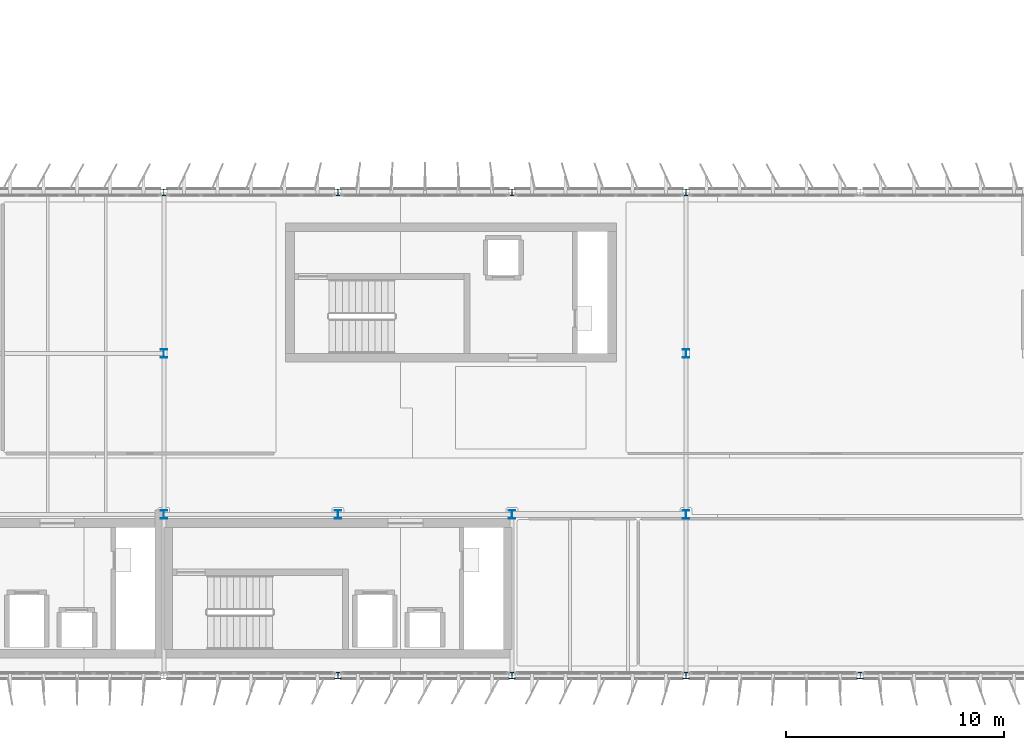
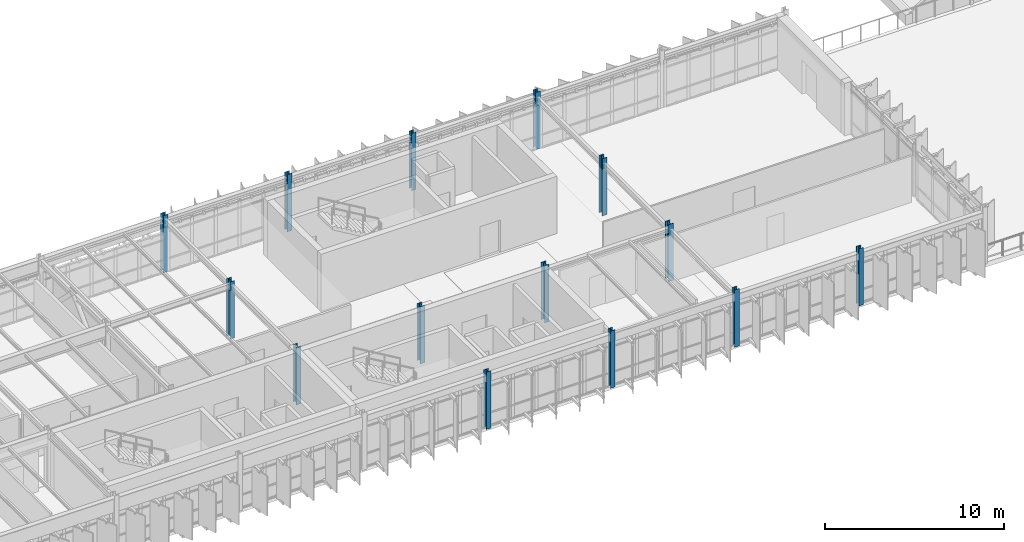
# One storey, part 2 of 35: 14 columns.
"""IFC4 building model written with IfcOpenShell, lengths in metres."""

from ifc_helpers import new_model, si_unit, direction, frame, origin, origin_2d, place, context, subcontext, project, spatial, i_section, extrude, material, material_profile, profile_set, type_object, element, save


model = new_model("IFC4")

# Units and contexts
model_context = context("Model", 3, precision=1e-05, world=origin(), true_north=direction((0.0, 1.0)))
body_context = subcontext(model_context, "Body", "Model", "MODEL_VIEW")
ifc_project = project(units=[si_unit("LENGTHUNIT", "METRE"), si_unit("AREAUNIT", "SQUARE_METRE"), si_unit("VOLUMEUNIT", "CUBIC_METRE"), si_unit("PLANEANGLEUNIT", "RADIAN"), si_unit("MASSUNIT", "GRAM", prefix="KILO")], contexts=[model_context])

# Site, building, storey
site_placement = place(None, origin())
site = spatial("IfcSite", under=ifc_project, at=site_placement, CompositionType="ELEMENT")
building_placement = place(site_placement, origin())
building = spatial("IfcBuilding", under=site, at=building_placement, Name="Valkorina Park Police Headquarters", CompositionType="ELEMENT")
storey_placement = place(building_placement, frame((0.0, 0.0, 27.199951171875)))
storey = spatial("IfcBuildingStorey", under=building, at=storey_placement, Name="L07", CompositionType="ELEMENT", Elevation=27.199951171875)

# Columns
ifc_material = material(Name="Steel S355", Category="steel")
ifc_material_profile_1 = material_profile(ifc_material, i_section(OverallWidth=0.300048828125, OverallDepth=0.389892578125, WebThickness=0.010986328125, FlangeThickness=0.01904296875, FilletRadius=0.027099609375, at=origin_2d()), Name="HEA 400")
ifc_profile_set_1 = profile_set([ifc_material_profile_1], Name="Steel S355")
column_type_1 = type_object("IfcColumnType", Name="COL-S355-HEA400-INT", PredefinedType="COLUMN", material=ifc_profile_set_1)
for number, where, z_axis, x_axis, name in (
    (1, (32.800048828125, 44.39990234375, 0.0), (0.0, 0.0, 1.0), (1.0, 0.0, 0.0), "L07 Column 1109"),
    (2, (32.800048828125, 51.800048828125, 0.0), (0.0, 0.0, 1.0), (1.0, 0.0, 0.0), "L07 Column 1110"),
    (3, (40.800048828125, 44.39990234375, 0.0), (0.0, 0.0, 1.0), (1.0, 0.0, 0.0), "L07 Column 1113"),
    (4, (48.800048828125, 44.39990234375, 0.0), (0.0, 0.0, 1.0), (1.0, 0.0, 0.0), "L07 Column 1116"),
    (5, (56.800048828125, 44.39990234375, 0.0), (0.0, 0.0, 1.0), (1.0, 0.0, 0.0), "L07 Column 1119"),
    (6, (56.800048828125, 51.800048828125, 0.0), (0.0, 0.0, 1.0), (1.0, 0.0, 0.0), "L07 Column 1120"),
):
    element("IfcColumn", number, at=place(storey_placement, frame(where, z_axis=z_axis, x_axis=x_axis)), inside=storey, type_object=column_type_1, Name=name, PredefinedType="COLUMN", context=body_context, shape_type="SweptSolid", body=[
        extrude(i_section(OverallWidth=0.300048828125, OverallDepth=0.389892578125, WebThickness=0.010986328125, FlangeThickness=0.01904296875, FilletRadius=0.027099609375, at=origin_2d()), origin(), (0.0, 0.0, 1.0), 3.900146484375),
    ])
ifc_material_profile_2 = material_profile(ifc_material, i_section(OverallWidth=0.300048828125, OverallDepth=0.300048828125, WebThickness=0.010986328125, FlangeThickness=0.01904296875, FilletRadius=0.027099609375, at=origin_2d()), Name="HEB 300")
ifc_profile_set_2 = profile_set([ifc_material_profile_2], Name="Steel S355")
column_type_2 = type_object("IfcColumnType", Name="COL-S355-HEB300-EXT", PredefinedType="COLUMN", material=ifc_profile_set_2)
for number, where, z_axis, x_axis, name in (
    (7, (32.800048828125, 59.199951171875, 0.0), (0.0, 0.0, 1.0), (1.0, 0.0, 0.0), "L07 Column 1111"),
    (8, (40.800048828125, 37.0, 0.0), (0.0, 0.0, 1.0), (1.0, 0.0, 0.0), "L07 Column 1112"),
    (9, (40.800048828125, 59.199951171875, 0.0), (0.0, 0.0, 1.0), (1.0, 0.0, 0.0), "L07 Column 1114"),
    (10, (48.800048828125, 37.0, 0.0), (0.0, 0.0, 1.0), (1.0, 0.0, 0.0), "L07 Column 1115"),
    (11, (48.800048828125, 59.199951171875, 0.0), (0.0, 0.0, 1.0), (1.0, 0.0, 0.0), "L07 Column 1117"),
    (12, (56.800048828125, 37.0, 0.0), (0.0, 0.0, 1.0), (1.0, 0.0, 0.0), "L07 Column 1118"),
    (13, (56.800048828125, 59.199951171875, 0.0), (0.0, 0.0, 1.0), (1.0, 0.0, 0.0), "L07 Column 1121"),
    (14, (64.800048828125, 37.0, 0.0), (0.0, 0.0, 1.0), (1.0, 0.0, 0.0), "L07 Column 1122"),
):
    element("IfcColumn", number, at=place(storey_placement, frame(where, z_axis=z_axis, x_axis=x_axis)), inside=storey, type_object=column_type_2, Name=name, PredefinedType="COLUMN", context=body_context, shape_type="SweptSolid", body=[
        extrude(i_section(OverallWidth=0.300048828125, OverallDepth=0.300048828125, WebThickness=0.010986328125, FlangeThickness=0.01904296875, FilletRadius=0.027099609375, at=origin_2d()), origin(), (0.0, 0.0, 1.0), 3.900146484375),
    ])

save(model, "model.ifc")
